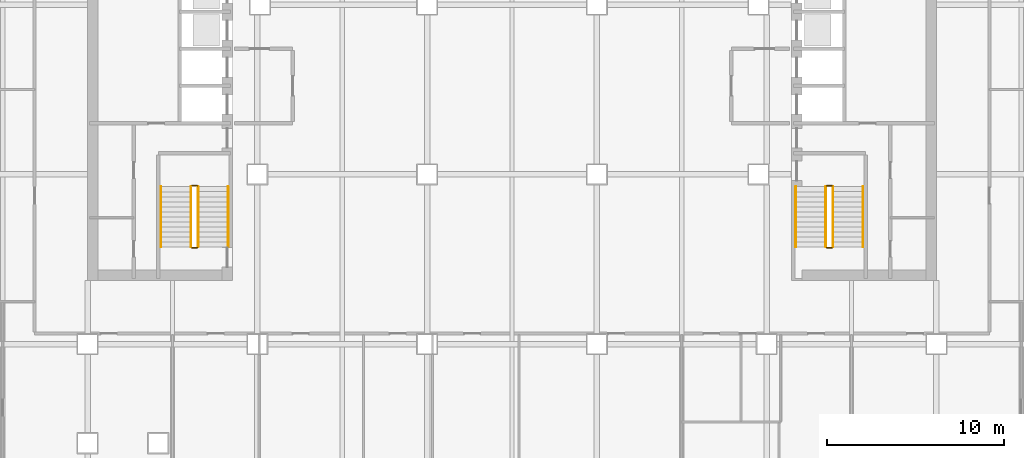
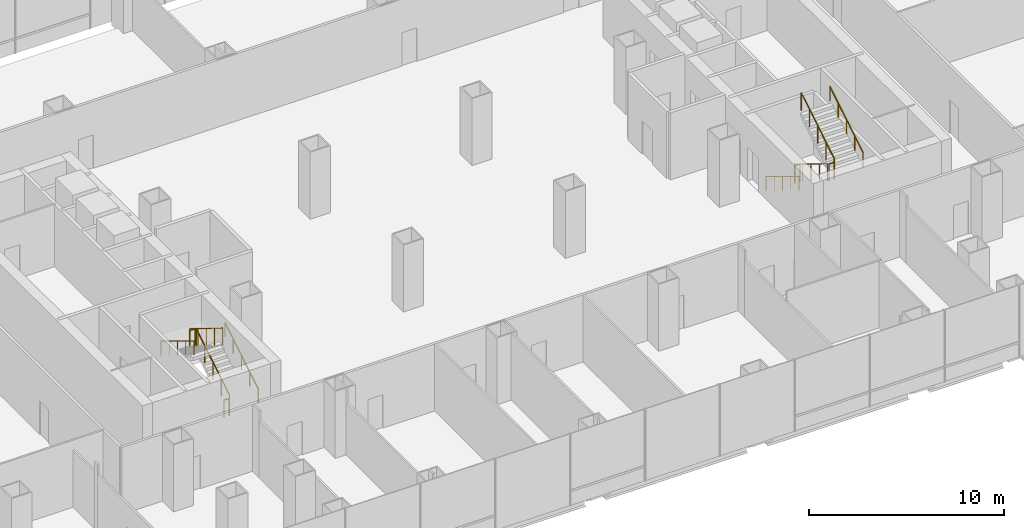
# One storey, part 22 of 23: 12 railings.
"""IFC4 building model written with IfcOpenShell, lengths in metres."""

from ifc_helpers import new_model, si_unit, direction, frame, origin, origin_2d, place, context, subcontext, project, spatial, circle, extrude, material, type_object, element, save


model = new_model("IFC4")

# Units and contexts
model_context = context("Model", 3, precision=1e-05, world=origin(), true_north=direction((0.0, 1.0)))
body_context = subcontext(model_context, "Body", "Model", "MODEL_VIEW")
ifc_project = project(units=[si_unit("LENGTHUNIT", "METRE"), si_unit("AREAUNIT", "SQUARE_METRE"), si_unit("VOLUMEUNIT", "CUBIC_METRE"), si_unit("PLANEANGLEUNIT", "RADIAN"), si_unit("MASSUNIT", "GRAM", prefix="KILO")], contexts=[model_context])

# Site, building, storey
site_placement = place(None, origin())
site = spatial("IfcSite", under=ifc_project, at=site_placement, CompositionType="ELEMENT")
building_placement = place(site_placement, origin())
building = spatial("IfcBuilding", under=site, at=building_placement, Name="Cobrizo Arcos Hotel Tower", CompositionType="ELEMENT")
storey_placement = place(building_placement, frame((0.0, 0.0, 29.0)))
storey = spatial("IfcBuildingStorey", under=building, at=storey_placement, Name="L05", CompositionType="ELEMENT", Elevation=29.0)

# Railings
ifc_material = material(Name="Stainless steel railing", Category="steel")
railing_type_1 = type_object("IfcRailingType", Name="Stair guard 1100", PredefinedType="GUARDRAIL", material=ifc_material)
railing_1_placement = place(storey_placement, frame((-17.75, -8.89990234375, 0.173095703125)))
element("IfcRailing", 1, at=railing_1_placement, inside=storey, type_object=railing_type_1, Name="L05 ST-W stair guard 1", PredefinedType="GUARDRAIL", context=body_context, shape_type="SweptSolid", body=[
    extrude(circle(Radius=0.02392578125, at=origin_2d()), frame((0.0, 0.0, 1.076171875), z_axis=(0.0, 0.853372706543, 0.52130127923), x_axis=(-1.0, 0.0, 0.0)), (0.0, 0.0, 1.0), 3.984130859375),
    extrude(circle(Radius=0.02099609375, at=origin_2d()), origin(), (0.0, 0.0, 1.0), 1.052001953125),
    extrude(circle(Radius=0.02099609375, at=origin_2d()), frame((0.0, 0.85009765625, 0.519287109375)), (0.0, 0.0, 1.0), 1.052001953125),
    extrude(circle(Radius=0.02099609375, at=origin_2d()), frame((0.0, 1.699951171875, 1.03857421875)), (0.0, 0.0, 1.0), 1.052001953125),
    extrude(circle(Radius=0.02099609375, at=origin_2d()), frame((0.0, 2.5498046875, 1.5576171875)), (0.0, 0.0, 1.0), 1.052001953125),
    extrude(circle(Radius=0.02099609375, at=origin_2d()), frame((0.0, 3.39990234375, 2.076904296875)), (0.0, 0.0, 1.0), 1.052001953125),
])
railing_2_placement = place(storey_placement, frame((-17.800048828125, -5.449951171875, 2.25)))
element("IfcRailing", 2, at=railing_2_placement, inside=storey, type_object=railing_type_1, Name="L05 ST-W stair guard 2", PredefinedType="GUARDRAIL", context=body_context, shape_type="SweptSolid", body=[
    extrude(circle(Radius=0.02392578125, at=origin_2d()), frame((0.0, 0.0, 1.076171875), z_axis=(-1.0, 0.0, 0.0), x_axis=(0.0, -1.0, 0.0)), (0.0, 0.0, 1.0), 0.300048828125),
    extrude(circle(Radius=0.02099609375, at=origin_2d()), origin(), (0.0, 0.0, 1.0), 1.052001953125),
    extrude(circle(Radius=0.02099609375, at=origin_2d()), frame((-0.300048828125, 0.0, 0.0)), (0.0, 0.0, 1.0), 1.052001953125),
])
railing_3_placement = place(storey_placement, frame((-18.14990234375, -5.5, 2.423095703125)))
element("IfcRailing", 3, at=railing_3_placement, inside=storey, type_object=railing_type_1, Name="L05 ST-W stair guard 3", PredefinedType="GUARDRAIL", context=body_context, shape_type="SweptSolid", body=[
    extrude(circle(Radius=0.02392578125, at=origin_2d()), frame((0.0, 0.0, 1.076171875), z_axis=(0.0, -0.853372706543, 0.52130127923), x_axis=(1.0, 0.0, 0.0)), (0.0, 0.0, 1.0), 3.984130859375),
    extrude(circle(Radius=0.02099609375, at=origin_2d()), origin(), (0.0, 0.0, 1.0), 1.052001953125),
    extrude(circle(Radius=0.02099609375, at=origin_2d()), frame((0.0, -0.85009765625, 0.519287109375)), (0.0, 0.0, 1.0), 1.052001953125),
    extrude(circle(Radius=0.02099609375, at=origin_2d()), frame((0.0, -1.699951171875, 1.03857421875)), (0.0, 0.0, 1.0), 1.052001953125),
    extrude(circle(Radius=0.02099609375, at=origin_2d()), frame((0.0, -2.5498046875, 1.5576171875)), (0.0, 0.0, 1.0), 1.052001953125),
    extrude(circle(Radius=0.02099609375, at=origin_2d()), frame((0.0, -3.39990234375, 2.076904296875)), (0.0, 0.0, 1.0), 1.052001953125),
])
railing_4_placement = place(storey_placement, frame((-17.800048828125, -8.949951171875, 0.0)))
element("IfcRailing", 4, at=railing_4_placement, inside=storey, type_object=railing_type_1, Name="L05 ST-W stair guard 4", PredefinedType="GUARDRAIL", context=body_context, shape_type="SweptSolid", body=[
    extrude(circle(Radius=0.02392578125, at=origin_2d()), frame((0.0, 0.0, 1.076171875), z_axis=(-1.0, 0.0, 0.0), x_axis=(0.0, -1.0, 0.0)), (0.0, 0.0, 1.0), 0.300048828125),
    extrude(circle(Radius=0.02099609375, at=origin_2d()), origin(), (0.0, 0.0, 1.0), 1.052001953125),
    extrude(circle(Radius=0.02099609375, at=origin_2d()), frame((-0.300048828125, 0.0, 0.0)), (0.0, 0.0, 1.0), 1.052001953125),
])
railing_5_placement = place(storey_placement, frame((17.75, -5.5, 0.173095703125)))
element("IfcRailing", 5, at=railing_5_placement, inside=storey, type_object=railing_type_1, Name="L05 ST-E stair guard 1", PredefinedType="GUARDRAIL", context=body_context, shape_type="SweptSolid", body=[
    extrude(circle(Radius=0.02392578125, at=origin_2d()), frame((0.0, 0.0, 1.076171875), z_axis=(0.0, -0.853372706543, 0.52130127923), x_axis=(1.0, 0.0, 0.0)), (0.0, 0.0, 1.0), 3.984130859375),
    extrude(circle(Radius=0.02099609375, at=origin_2d()), origin(), (0.0, 0.0, 1.0), 1.052001953125),
    extrude(circle(Radius=0.02099609375, at=origin_2d()), frame((0.0, -0.85009765625, 0.519287109375)), (0.0, 0.0, 1.0), 1.052001953125),
    extrude(circle(Radius=0.02099609375, at=origin_2d()), frame((0.0, -1.699951171875, 1.03857421875)), (0.0, 0.0, 1.0), 1.052001953125),
    extrude(circle(Radius=0.02099609375, at=origin_2d()), frame((0.0, -2.5498046875, 1.5576171875)), (0.0, 0.0, 1.0), 1.052001953125),
    extrude(circle(Radius=0.02099609375, at=origin_2d()), frame((0.0, -3.39990234375, 2.076904296875)), (0.0, 0.0, 1.0), 1.052001953125),
])
railing_6_placement = place(storey_placement, frame((17.800048828125, -8.949951171875, 2.25)))
element("IfcRailing", 6, at=railing_6_placement, inside=storey, type_object=railing_type_1, Name="L05 ST-E stair guard 2", PredefinedType="GUARDRAIL", context=body_context, shape_type="SweptSolid", body=[
    extrude(circle(Radius=0.02392578125, at=origin_2d()), frame((0.0, 0.0, 1.076171875), z_axis=(1.0, 0.0, 0.0), x_axis=(0.0, 1.0, 0.0)), (0.0, 0.0, 1.0), 0.300048828125),
    extrude(circle(Radius=0.02099609375, at=origin_2d()), origin(), (0.0, 0.0, 1.0), 1.052001953125),
    extrude(circle(Radius=0.02099609375, at=origin_2d()), frame((0.300048828125, 0.0, 0.0)), (0.0, 0.0, 1.0), 1.052001953125),
])
railing_7_placement = place(storey_placement, frame((18.14990234375, -8.89990234375, 2.423095703125)))
element("IfcRailing", 7, at=railing_7_placement, inside=storey, type_object=railing_type_1, Name="L05 ST-E stair guard 3", PredefinedType="GUARDRAIL", context=body_context, shape_type="SweptSolid", body=[
    extrude(circle(Radius=0.02392578125, at=origin_2d()), frame((0.0, 0.0, 1.076171875), z_axis=(0.0, 0.853372706543, 0.52130127923), x_axis=(-1.0, 0.0, 0.0)), (0.0, 0.0, 1.0), 3.984130859375),
    extrude(circle(Radius=0.02099609375, at=origin_2d()), origin(), (0.0, 0.0, 1.0), 1.052001953125),
    extrude(circle(Radius=0.02099609375, at=origin_2d()), frame((0.0, 0.85009765625, 0.519287109375)), (0.0, 0.0, 1.0), 1.052001953125),
    extrude(circle(Radius=0.02099609375, at=origin_2d()), frame((0.0, 1.699951171875, 1.03857421875)), (0.0, 0.0, 1.0), 1.052001953125),
    extrude(circle(Radius=0.02099609375, at=origin_2d()), frame((0.0, 2.5498046875, 1.5576171875)), (0.0, 0.0, 1.0), 1.052001953125),
    extrude(circle(Radius=0.02099609375, at=origin_2d()), frame((0.0, 3.39990234375, 2.076904296875)), (0.0, 0.0, 1.0), 1.052001953125),
])
railing_8_placement = place(storey_placement, frame((17.800048828125, -5.449951171875, 0.0)))
element("IfcRailing", 8, at=railing_8_placement, inside=storey, type_object=railing_type_1, Name="L05 ST-E stair guard 4", PredefinedType="GUARDRAIL", context=body_context, shape_type="SweptSolid", body=[
    extrude(circle(Radius=0.02392578125, at=origin_2d()), frame((0.0, 0.0, 1.076171875), z_axis=(1.0, 0.0, 0.0), x_axis=(0.0, 1.0, 0.0)), (0.0, 0.0, 1.0), 0.300048828125),
    extrude(circle(Radius=0.02099609375, at=origin_2d()), origin(), (0.0, 0.0, 1.0), 1.052001953125),
    extrude(circle(Radius=0.02099609375, at=origin_2d()), frame((0.300048828125, 0.0, 0.0)), (0.0, 0.0, 1.0), 1.052001953125),
])
railing_type_2 = type_object("IfcRailingType", Name="Stair handrail", PredefinedType="HANDRAIL", material=ifc_material)
railing_9_placement = place(storey_placement, frame((-16.050048828125, -8.89990234375, 0.173095703125)))
element("IfcRailing", 9, at=railing_9_placement, inside=storey, type_object=railing_type_2, Name="L05 ST-W stair handrail 1", PredefinedType="HANDRAIL", context=body_context, shape_type="SweptSolid", body=[
    extrude(circle(Radius=0.02392578125, at=origin_2d()), frame((0.0, 0.0, 0.8759765625), z_axis=(0.0, 0.853372706543, 0.52130127923), x_axis=(-1.0, 0.0, 0.0)), (0.0, 0.0, 1.0), 3.984130859375),
    extrude(circle(Radius=0.02099609375, at=origin_2d()), origin(), (0.0, 0.0, 1.0), 0.851806640625),
    extrude(circle(Radius=0.02099609375, at=origin_2d()), frame((0.0, 0.85009765625, 0.519287109375)), (0.0, 0.0, 1.0), 0.851806640625),
    extrude(circle(Radius=0.02099609375, at=origin_2d()), frame((0.0, 1.699951171875, 1.03857421875)), (0.0, 0.0, 1.0), 0.851806640625),
    extrude(circle(Radius=0.02099609375, at=origin_2d()), frame((0.0, 2.5498046875, 1.5576171875)), (0.0, 0.0, 1.0), 0.851806640625),
    extrude(circle(Radius=0.02099609375, at=origin_2d()), frame((0.0, 3.39990234375, 2.076904296875)), (0.0, 0.0, 1.0), 0.851806640625),
])
for number, where, name in (
    (10, (-19.85009765625, -5.5, 2.423095703125), "L05 ST-W stair handrail 2"),
    (11, (16.050048828125, -5.5, 0.173095703125), "L05 ST-E stair handrail 1"),
):
    element("IfcRailing", number, at=place(storey_placement, frame(where)), inside=storey, type_object=railing_type_2, Name=name, PredefinedType="HANDRAIL", context=body_context, shape_type="SweptSolid", body=[
        extrude(circle(Radius=0.02392578125, at=origin_2d()), frame((0.0, 0.0, 0.8759765625), z_axis=(0.0, -0.853372706543, 0.52130127923), x_axis=(1.0, 0.0, 0.0)), (0.0, 0.0, 1.0), 3.984130859375),
        extrude(circle(Radius=0.02099609375, at=origin_2d()), origin(), (0.0, 0.0, 1.0), 0.851806640625),
        extrude(circle(Radius=0.02099609375, at=origin_2d()), frame((0.0, -0.85009765625, 0.519287109375)), (0.0, 0.0, 1.0), 0.851806640625),
        extrude(circle(Radius=0.02099609375, at=origin_2d()), frame((0.0, -1.699951171875, 1.03857421875)), (0.0, 0.0, 1.0), 0.851806640625),
        extrude(circle(Radius=0.02099609375, at=origin_2d()), frame((0.0, -2.5498046875, 1.5576171875)), (0.0, 0.0, 1.0), 0.851806640625),
        extrude(circle(Radius=0.02099609375, at=origin_2d()), frame((0.0, -3.39990234375, 2.076904296875)), (0.0, 0.0, 1.0), 0.851806640625),
    ])
railing_10_placement = place(storey_placement, frame((19.85009765625, -8.89990234375, 2.423095703125)))
element("IfcRailing", 12, at=railing_10_placement, inside=storey, type_object=railing_type_2, Name="L05 ST-E stair handrail 2", PredefinedType="HANDRAIL", context=body_context, shape_type="SweptSolid", body=[
    extrude(circle(Radius=0.02392578125, at=origin_2d()), frame((0.0, 0.0, 0.8759765625), z_axis=(0.0, 0.853372706543, 0.52130127923), x_axis=(-1.0, 0.0, 0.0)), (0.0, 0.0, 1.0), 3.984130859375),
    extrude(circle(Radius=0.02099609375, at=origin_2d()), origin(), (0.0, 0.0, 1.0), 0.851806640625),
    extrude(circle(Radius=0.02099609375, at=origin_2d()), frame((0.0, 0.85009765625, 0.519287109375)), (0.0, 0.0, 1.0), 0.851806640625),
    extrude(circle(Radius=0.02099609375, at=origin_2d()), frame((0.0, 1.699951171875, 1.03857421875)), (0.0, 0.0, 1.0), 0.851806640625),
    extrude(circle(Radius=0.02099609375, at=origin_2d()), frame((0.0, 2.5498046875, 1.5576171875)), (0.0, 0.0, 1.0), 0.851806640625),
    extrude(circle(Radius=0.02099609375, at=origin_2d()), frame((0.0, 3.39990234375, 2.076904296875)), (0.0, 0.0, 1.0), 0.851806640625),
])

save(model, "model.ifc")
